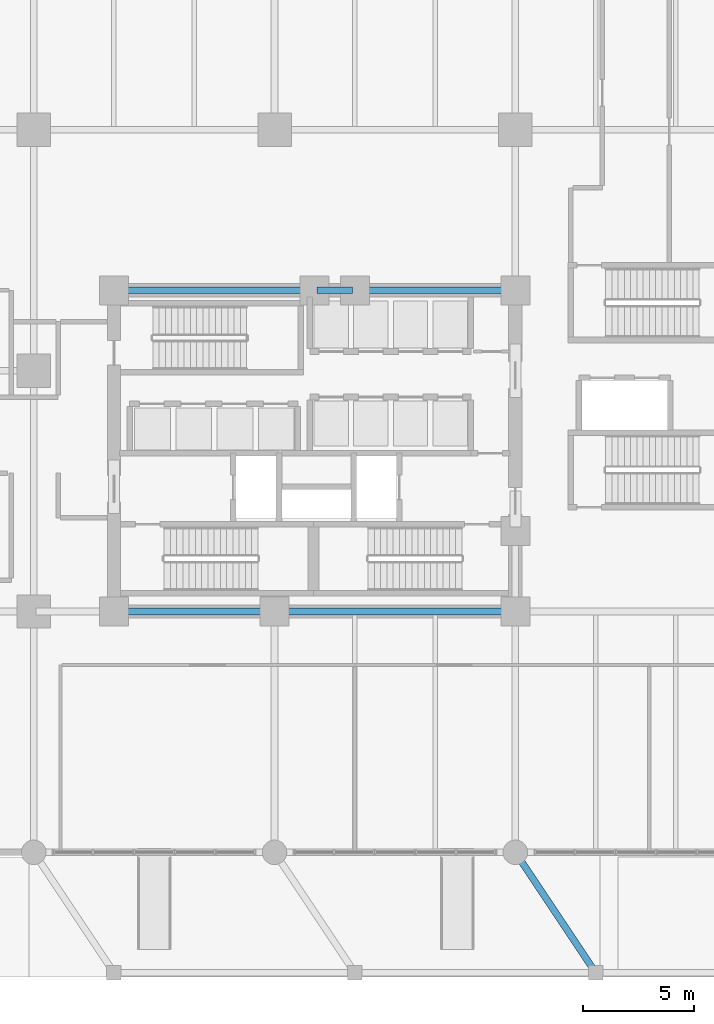
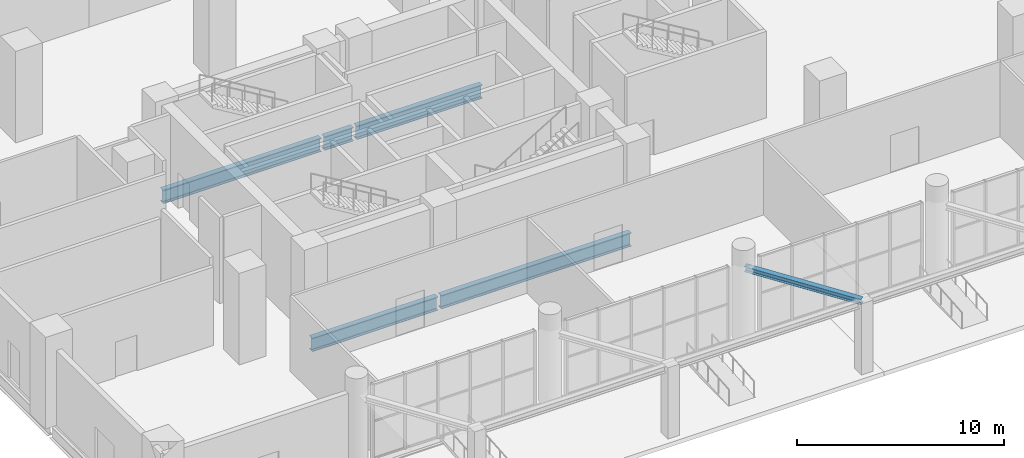
# One storey, part 6 of 22: 6 beams.
"""IFC4 building model written with IfcOpenShell, lengths in metres."""

from ifc_helpers import new_model, si_unit, direction, frame, origin, origin_2d, place, context, subcontext, project, spatial, i_section, extrude, material, material_profile, profile_set, type_object, element, save


model = new_model("IFC4")

# Units and contexts
model_context = context("Model", 3, precision=1e-05, world=origin(), true_north=direction((0.0, 1.0)))
body_context = subcontext(model_context, "Body", "Model", "MODEL_VIEW")
ifc_project = project(units=[si_unit("LENGTHUNIT", "METRE"), si_unit("AREAUNIT", "SQUARE_METRE"), si_unit("VOLUMEUNIT", "CUBIC_METRE"), si_unit("PLANEANGLEUNIT", "RADIAN"), si_unit("MASSUNIT", "GRAM", prefix="KILO")], contexts=[model_context])

# Site, building, storey
site_placement = place(None, origin())
site = spatial("IfcSite", under=ifc_project, at=site_placement, CompositionType="ELEMENT")
building_placement = place(site_placement, origin())
building = spatial("IfcBuilding", under=site, at=building_placement, Name="Solnavia Interchange Tower", CompositionType="ELEMENT")
storey_placement = place(building_placement, origin())
storey = spatial("IfcBuildingStorey", under=building, at=storey_placement, Name="L00", CompositionType="ELEMENT", Elevation=0.0)

# Beams
ifc_material_1 = material(Name="Steel S460", Category="steel")
ifc_material_profile_1 = material_profile(ifc_material_1, i_section(OverallWidth=0.300048828125, OverallDepth=0.800048828125, WebThickness=0.017578125, FlangeThickness=0.032958984375, FilletRadius=0.030029296875, at=origin_2d()), Name="HEB 800")
ifc_profile_set_1 = profile_set([ifc_material_profile_1], Name="Steel S460")
beam_type_1 = type_object("IfcBeamType", Name="Beam-Girder-HEB800", PredefinedType="BEAM", material=ifc_profile_set_1)
beam_1_placement = place(storey_placement, frame((14.5, 10.800048828125, -0.75), z_axis=(1.0, 0.0, 0.0), x_axis=(0.0, 1.0, 0.0)))
element("IfcBeam", 1, at=beam_1_placement, inside=storey, type_object=beam_type_1, Name="GRD-L00-10 Podium primary girder", PredefinedType="BEAM", context=body_context, shape_type="SweptSolid", body=[
    extrude(i_section(OverallWidth=0.300048828125, OverallDepth=0.800048828125, WebThickness=0.017578125, FlangeThickness=0.032958984375, FilletRadius=0.030029296875, at=origin_2d()), origin(), (0.0, 0.0, 1.0), 7.0),
])
beam_2_placement = place(storey_placement, frame((21.699951171875, 10.800048828125, -0.75), z_axis=(1.0, 0.0, 0.0), x_axis=(0.0, 1.0, 0.0)))
element("IfcBeam", 2, at=beam_2_placement, inside=storey, type_object=beam_type_1, Name="GRD-L00-11 Podium primary girder", PredefinedType="BEAM", context=body_context, shape_type="SweptSolid", body=[
    extrude(i_section(OverallWidth=0.300048828125, OverallDepth=0.800048828125, WebThickness=0.017578125, FlangeThickness=0.032958984375, FilletRadius=0.030029296875, at=origin_2d()), origin(), (0.0, 0.0, 1.0), 10.60009765625),
])
beam_3_placement = place(storey_placement, frame((14.5, 25.199951171875, -0.75), z_axis=(1.0, 0.0, 0.0), x_axis=(0.0, 1.0, 0.0)))
element("IfcBeam", 3, at=beam_3_placement, inside=storey, type_object=beam_type_1, Name="GRD-L00-21 Podium primary girder", PredefinedType="BEAM", context=body_context, shape_type="SweptSolid", body=[
    extrude(i_section(OverallWidth=0.300048828125, OverallDepth=0.800048828125, WebThickness=0.017578125, FlangeThickness=0.032958984375, FilletRadius=0.030029296875, at=origin_2d()), origin(), (0.0, 0.0, 1.0), 8.800048828125),
])
beam_4_placement = place(storey_placement, frame((23.5, 25.199951171875, -0.75), z_axis=(1.0, 0.0, 0.0), x_axis=(0.0, 1.0, 0.0)))
element("IfcBeam", 4, at=beam_4_placement, inside=storey, type_object=beam_type_1, Name="GRD-L00-22 Podium primary girder", PredefinedType="BEAM", context=body_context, shape_type="SweptSolid", body=[
    extrude(i_section(OverallWidth=0.300048828125, OverallDepth=0.800048828125, WebThickness=0.017578125, FlangeThickness=0.032958984375, FilletRadius=0.030029296875, at=origin_2d()), origin(), (0.0, 0.0, 1.0), 1.60009765625),
])
beam_5_placement = place(storey_placement, frame((25.300048828125, 25.199951171875, -0.75), z_axis=(1.0, 0.0, 0.0), x_axis=(0.0, 1.0, 0.0)))
element("IfcBeam", 5, at=beam_5_placement, inside=storey, type_object=beam_type_1, Name="GRD-L00-23 Podium primary girder", PredefinedType="BEAM", context=body_context, shape_type="SweptSolid", body=[
    extrude(i_section(OverallWidth=0.300048828125, OverallDepth=0.800048828125, WebThickness=0.017578125, FlangeThickness=0.032958984375, FilletRadius=0.030029296875, at=origin_2d()), origin(), (0.0, 0.0, 1.0), 7.0),
])
ifc_material_2 = material(Name="Steel S355", Category="steel")
ifc_material_profile_2 = material_profile(ifc_material_2, i_section(OverallWidth=0.300048828125, OverallDepth=0.31005859375, WebThickness=0.009033203125, FlangeThickness=0.015380859375, FilletRadius=0.027099609375, at=origin_2d()), Name="HEA 320")
ifc_profile_set_2 = profile_set([ifc_material_profile_2], Name="Steel S355")
beam_type_2 = type_object("IfcBeamType", Name="Beam-Primary-HEA320", PredefinedType="BEAM", material=ifc_profile_set_2)
beam_6_placement = place(storey_placement, frame((35.944580078125, -5.31689453125, 4.044921875), z_axis=(-0.55469123911, 0.832056265678, 0.0), x_axis=(-0.832056265678, -0.55469123911, 0.0)))
element("IfcBeam", 6, at=beam_6_placement, inside=storey, type_object=beam_type_2, Name="GRD-L00-CANT3 Promenade canopy tie beam", PredefinedType="BEAM", context=body_context, shape_type="SweptSolid", body=[
    extrude(i_section(OverallWidth=0.300048828125, OverallDepth=0.31005859375, WebThickness=0.009033203125, FlangeThickness=0.015380859375, FilletRadius=0.027099609375, at=origin_2d()), origin(), (0.0, 0.0, 1.0), 6.2900390625),
])

save(model, "model.ifc")
